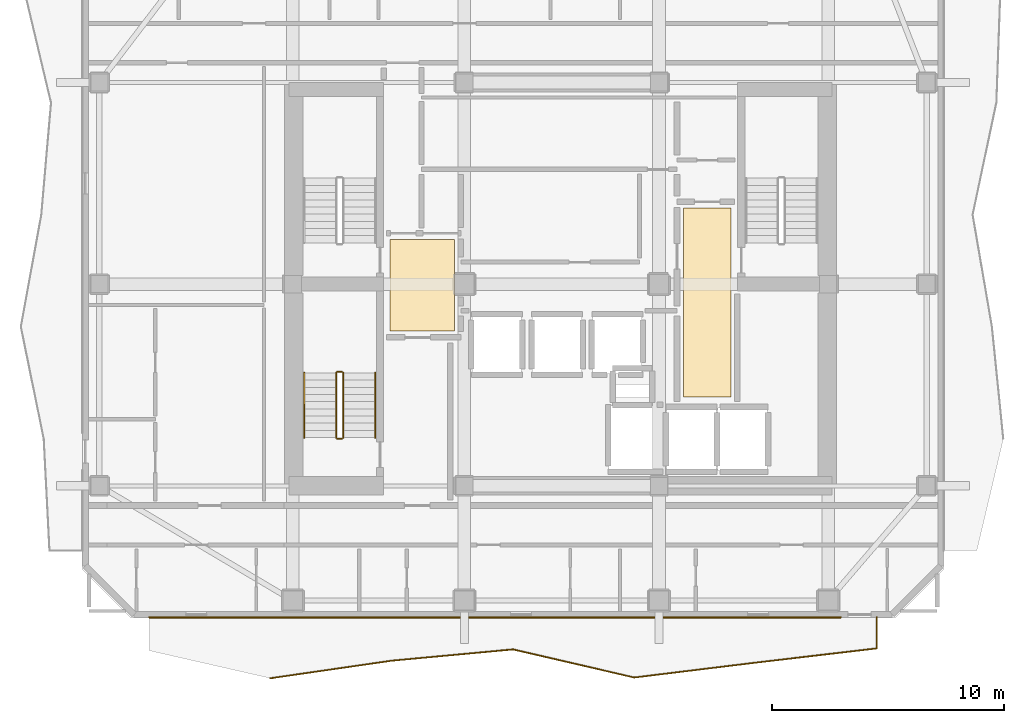
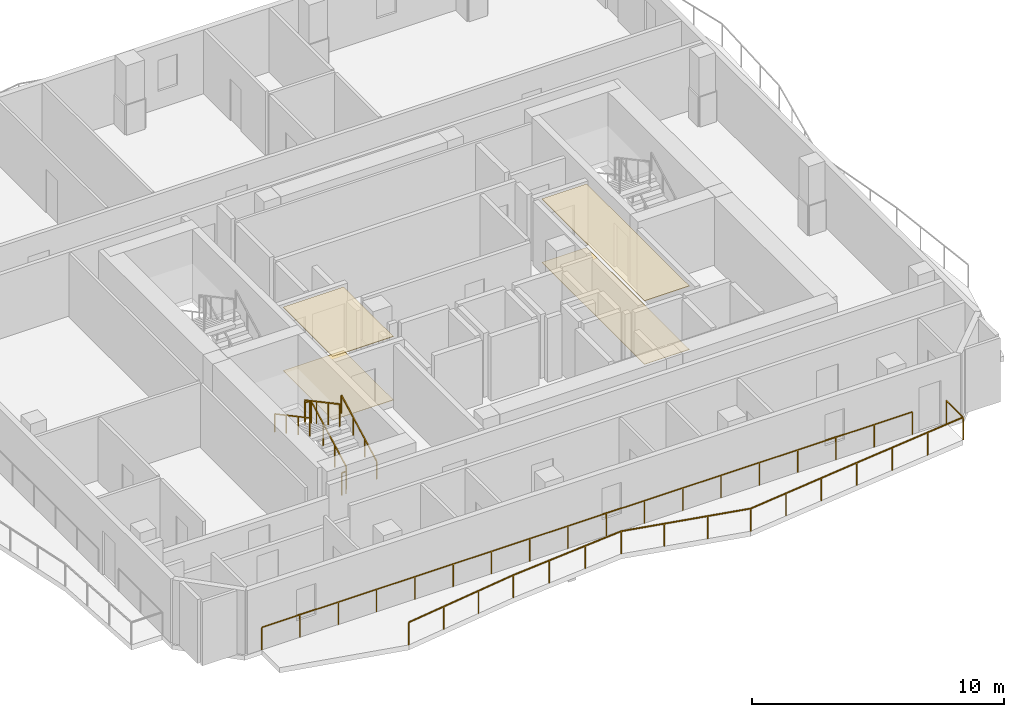
# One storey, part 7 of 10: 8 railings, 4 coverings.
"""IFC4 building model written with IfcOpenShell, lengths in metres."""

from ifc_helpers import new_model, si_unit, direction, frame, origin, origin_2d, place, context, subcontext, project, spatial, polyline, rectangle, outline, extrude, material, layer, layer_set, type_object, element, save


model = new_model("IFC4")

# Units and contexts
model_context = context("Model", 3, precision=1e-05, world=origin(), true_north=direction((0.0, 1.0)))
body_context = subcontext(model_context, "Body", "Model", "MODEL_VIEW")
ifc_project = project(units=[si_unit("LENGTHUNIT", "METRE"), si_unit("AREAUNIT", "SQUARE_METRE"), si_unit("VOLUMEUNIT", "CUBIC_METRE"), si_unit("PLANEANGLEUNIT", "RADIAN"), si_unit("MASSUNIT", "GRAM", prefix="KILO")], contexts=[model_context])

# Site, building, storey
site_placement = place(None, origin())
site = spatial("IfcSite", under=ifc_project, at=site_placement, CompositionType="ELEMENT")
building_placement = place(site_placement, origin())
building = spatial("IfcBuilding", under=site, at=building_placement, Name="Solanera Arch Residences", CompositionType="ELEMENT")
storey_placement = place(building_placement, frame((0.0, 0.0, 262.239990234375)))
storey = spatial("IfcBuildingStorey", under=building, at=storey_placement, Name="L76", CompositionType="ELEMENT", Elevation=262.239990234375)

# Railings
ifc_material_1 = material(Name="Steel S355 (ASTM A992 / A572 Grade 50)", Category="steel")
railing_type_1 = type_object("IfcRailingType", Name="Balustrade Railing BL-1100", PredefinedType="BALUSTRADE", material=ifc_material_1)
railing_1_placement = place(storey_placement, frame((12.43310546875, 13.694091796875, 0.0)))
element("IfcRailing", 1, at=railing_1_placement, inside=storey, type_object=railing_type_1, Name="L76 S Balcony Balustrade 1", PredefinedType="BALUSTRADE", context=body_context, shape_type="SweptSolid", body=[
    extrude(rectangle(XDim=0.048095703125, YDim=0.048095703125, at=origin_2d()), frame((0.0, 0.0, 1.09619140625), z_axis=(0.989653760241, 0.143476251835, 0.0), x_axis=(-0.143476251835, 0.989653760241, 0.0)), (0.0, 0.0, 1.0), 5.28857421875),
    extrude(rectangle(XDim=0.048095703125, YDim=0.048095703125, at=origin_2d()), frame((5.23388671875, 0.7587890625, 1.09619140625), z_axis=(0.995696332574, 0.09267585068, 0.0), x_axis=(-0.09267585068, 0.995696332574, 0.0)), (0.0, 0.0, 1.0), 5.255615234375),
    extrude(rectangle(XDim=0.048095703125, YDim=0.048095703125, at=origin_2d()), frame((10.466796875, 1.245849609375, 1.09619140625), z_axis=(0.974177048078, -0.225785471185, 0.0), x_axis=(0.225785471185, 0.974177048078, 0.0)), (0.0, 0.0, 1.0), 5.371826171875),
    extrude(rectangle(XDim=0.048095703125, YDim=0.048095703125, at=origin_2d()), frame((15.699951171875, 0.032958984375, 1.09619140625), z_axis=(0.992564372193, 0.121720857099, 0.0), x_axis=(-0.121720857099, 0.992564372193, 0.0)), (0.0, 0.0, 1.0), 5.273193359375),
    extrude(rectangle(XDim=0.048095703125, YDim=0.048095703125, at=origin_2d()), frame((20.933837890625, 0.6748046875, 1.09619140625), z_axis=(0.993165461061, 0.11671489603, 0.0), x_axis=(-0.11671489603, 0.993165461061, 0.0)), (0.0, 0.0, 1.0), 5.269287109375),
    extrude(rectangle(XDim=0.048095703125, YDim=0.048095703125, at=origin_2d()), frame((26.1669921875, 1.289794921875, 1.09619140625), z_axis=(0.0, 1.0, 0.0), x_axis=(-1.0, 0.0, 0.0)), (0.0, 0.0, 1.0), 1.336181640625),
    extrude(rectangle(XDim=0.0419921875, YDim=0.0419921875, at=origin_2d()), origin(), (0.0, 0.0, 1.0), 1.072021484375),
    extrude(rectangle(XDim=0.0419921875, YDim=0.0419921875, at=origin_2d()), frame((1.74462890625, 0.2529296875, 0.0)), (0.0, 0.0, 1.0), 1.072021484375),
    extrude(rectangle(XDim=0.0419921875, YDim=0.0419921875, at=origin_2d()), frame((3.4892578125, 0.505859375, 0.0)), (0.0, 0.0, 1.0), 1.072021484375),
    extrude(rectangle(XDim=0.0419921875, YDim=0.0419921875, at=origin_2d()), frame((5.23388671875, 0.7587890625, 0.0)), (0.0, 0.0, 1.0), 1.072021484375),
    extrude(rectangle(XDim=0.0419921875, YDim=0.0419921875, at=origin_2d()), frame((6.978271484375, 0.921142578125, 0.0)), (0.0, 0.0, 1.0), 1.072021484375),
    extrude(rectangle(XDim=0.0419921875, YDim=0.0419921875, at=origin_2d()), frame((8.722412109375, 1.08349609375, 0.0)), (0.0, 0.0, 1.0), 1.072021484375),
    extrude(rectangle(XDim=0.0419921875, YDim=0.0419921875, at=origin_2d()), frame((10.466796875, 1.245849609375, 0.0)), (0.0, 0.0, 1.0), 1.072021484375),
    extrude(rectangle(XDim=0.0419921875, YDim=0.0419921875, at=origin_2d()), frame((12.211181640625, 0.841552734375, 0.0)), (0.0, 0.0, 1.0), 1.072021484375),
    extrude(rectangle(XDim=0.0419921875, YDim=0.0419921875, at=origin_2d()), frame((13.95556640625, 0.437255859375, 0.0)), (0.0, 0.0, 1.0), 1.072021484375),
    extrude(rectangle(XDim=0.0419921875, YDim=0.0419921875, at=origin_2d()), frame((15.699951171875, 0.032958984375, 0.0)), (0.0, 0.0, 1.0), 1.072021484375),
    extrude(rectangle(XDim=0.0419921875, YDim=0.0419921875, at=origin_2d()), frame((17.444580078125, 0.246826171875, 0.0)), (0.0, 0.0, 1.0), 1.072021484375),
    extrude(rectangle(XDim=0.0419921875, YDim=0.0419921875, at=origin_2d()), frame((19.189208984375, 0.4609375, 0.0)), (0.0, 0.0, 1.0), 1.072021484375),
    extrude(rectangle(XDim=0.0419921875, YDim=0.0419921875, at=origin_2d()), frame((20.933837890625, 0.6748046875, 0.0)), (0.0, 0.0, 1.0), 1.072021484375),
    extrude(rectangle(XDim=0.0419921875, YDim=0.0419921875, at=origin_2d()), frame((22.67822265625, 0.8798828125, 0.0)), (0.0, 0.0, 1.0), 1.072021484375),
    extrude(rectangle(XDim=0.0419921875, YDim=0.0419921875, at=origin_2d()), frame((24.422607421875, 1.084716796875, 0.0)), (0.0, 0.0, 1.0), 1.072021484375),
    extrude(rectangle(XDim=0.0419921875, YDim=0.0419921875, at=origin_2d()), frame((26.1669921875, 1.289794921875, 0.0)), (0.0, 0.0, 1.0), 1.072021484375),
    extrude(rectangle(XDim=0.0419921875, YDim=0.0419921875, at=origin_2d()), frame((26.1669921875, 2.6259765625, 0.0)), (0.0, 0.0, 1.0), 1.072021484375),
])
railing_2_placement = place(storey_placement, frame((37.048095703125, 16.320068359375, 0.0)))
element("IfcRailing", 2, at=railing_2_placement, inside=storey, type_object=railing_type_1, Name="L76 S Balcony Balustrade 2", PredefinedType="BALUSTRADE", context=body_context, shape_type="SweptSolid", body=[
    extrude(rectangle(XDim=0.048095703125, YDim=0.048095703125, at=origin_2d()), frame((0.0, 0.0, 1.09619140625), z_axis=(-1.0, 0.0, 0.0), x_axis=(0.0, -1.0, 0.0)), (0.0, 0.0, 1.0), 29.84814453125),
    extrude(rectangle(XDim=0.0419921875, YDim=0.0419921875, at=origin_2d()), origin(), (0.0, 0.0, 1.0), 1.072021484375),
    extrude(rectangle(XDim=0.0419921875, YDim=0.0419921875, at=origin_2d()), frame((-1.755859375, 0.0, 0.0)), (0.0, 0.0, 1.0), 1.072021484375),
    extrude(rectangle(XDim=0.0419921875, YDim=0.0419921875, at=origin_2d()), frame((-3.511474609375, 0.0, 0.0)), (0.0, 0.0, 1.0), 1.072021484375),
    extrude(rectangle(XDim=0.0419921875, YDim=0.0419921875, at=origin_2d()), frame((-5.267333984375, 0.0, 0.0)), (0.0, 0.0, 1.0), 1.072021484375),
    extrude(rectangle(XDim=0.0419921875, YDim=0.0419921875, at=origin_2d()), frame((-7.023193359375, 0.0, 0.0)), (0.0, 0.0, 1.0), 1.072021484375),
    extrude(rectangle(XDim=0.0419921875, YDim=0.0419921875, at=origin_2d()), frame((-8.77880859375, 0.0, 0.0)), (0.0, 0.0, 1.0), 1.072021484375),
    extrude(rectangle(XDim=0.0419921875, YDim=0.0419921875, at=origin_2d()), frame((-10.53466796875, 0.0, 0.0)), (0.0, 0.0, 1.0), 1.072021484375),
    extrude(rectangle(XDim=0.0419921875, YDim=0.0419921875, at=origin_2d()), frame((-12.29052734375, 0.0, 0.0)), (0.0, 0.0, 1.0), 1.072021484375),
    extrude(rectangle(XDim=0.0419921875, YDim=0.0419921875, at=origin_2d()), frame((-14.046142578125, 0.0, 0.0)), (0.0, 0.0, 1.0), 1.072021484375),
    extrude(rectangle(XDim=0.0419921875, YDim=0.0419921875, at=origin_2d()), frame((-15.802001953125, 0.0, 0.0)), (0.0, 0.0, 1.0), 1.072021484375),
    extrude(rectangle(XDim=0.0419921875, YDim=0.0419921875, at=origin_2d()), frame((-17.5576171875, 0.0, 0.0)), (0.0, 0.0, 1.0), 1.072021484375),
    extrude(rectangle(XDim=0.0419921875, YDim=0.0419921875, at=origin_2d()), frame((-19.3134765625, 0.0, 0.0)), (0.0, 0.0, 1.0), 1.072021484375),
    extrude(rectangle(XDim=0.0419921875, YDim=0.0419921875, at=origin_2d()), frame((-21.0693359375, 0.0, 0.0)), (0.0, 0.0, 1.0), 1.072021484375),
    extrude(rectangle(XDim=0.0419921875, YDim=0.0419921875, at=origin_2d()), frame((-22.824951171875, 0.0, 0.0)), (0.0, 0.0, 1.0), 1.072021484375),
    extrude(rectangle(XDim=0.0419921875, YDim=0.0419921875, at=origin_2d()), frame((-24.580810546875, 0.0, 0.0)), (0.0, 0.0, 1.0), 1.072021484375),
    extrude(rectangle(XDim=0.0419921875, YDim=0.0419921875, at=origin_2d()), frame((-26.336669921875, 0.0, 0.0)), (0.0, 0.0, 1.0), 1.072021484375),
    extrude(rectangle(XDim=0.0419921875, YDim=0.0419921875, at=origin_2d()), frame((-28.09228515625, 0.0, 0.0)), (0.0, 0.0, 1.0), 1.072021484375),
    extrude(rectangle(XDim=0.0419921875, YDim=0.0419921875, at=origin_2d()), frame((-29.84814453125, 0.0, 0.0)), (0.0, 0.0, 1.0), 1.072021484375),
])

# Coverings
ifc_material_2 = material(Name="Porcelain Acoustic Floor Tile", Category="ceramic")
ifc_layer_1 = layer(ifc_material_2, 0.02001953125)
ifc_layer_set_1 = layer_set([ifc_layer_1], Name="Porcelain Acoustic Floor Tile")
covering_type_1 = type_object("IfcCoveringType", Name="Porcelain Acoustic Floor Finish FLR-20", PredefinedType="FLOORING", material=ifc_layer_set_1)
covering_1_placement = place(storey_placement, origin())
element("IfcCovering", 3, at=covering_1_placement, inside=storey, type_object=covering_type_1, Name="L76-FFL-W Porcelain Floor Finish", PredefinedType="FLOORING", context=body_context, shape_type="SweptSolid", body=[
    extrude(outline(polyline([(20.375, 28.675048828125), (17.594970703125, 28.675048828125), (17.594970703125, 32.625), (20.375, 32.625), (20.375, 28.675048828125)])), origin(), (0.0, 0.0, 1.0), 0.02001953125),
])
covering_2_placement = place(storey_placement, origin())
element("IfcCovering", 4, at=covering_2_placement, inside=storey, type_object=covering_type_1, Name="L76-FFL-E Porcelain Floor Finish", PredefinedType="FLOORING", context=body_context, shape_type="SweptSolid", body=[
    extrude(outline(polyline([(32.304931640625, 25.824951171875), (30.25, 25.824951171875), (30.25, 33.97509765625), (32.304931640625, 33.97509765625), (32.304931640625, 25.824951171875)])), origin(), (0.0, 0.0, 1.0), 0.02001953125),
])

# Railings
ifc_material_3 = material(Name="Steel S355 (ASTM A992 / A572 Grade 50)", Category="steel")
railing_type_2 = type_object("IfcRailingType", Name="Stair Guardrail GR-1100", PredefinedType="GUARDRAIL", material=ifc_material_3)
railing_3_placement = place(storey_placement, frame((15.570068359375, 24.080078125, 0.151123046875)))
element("IfcRailing", 5, at=railing_3_placement, inside=storey, type_object=railing_type_2, Name="L76 ST-T3 stair guard 1", PredefinedType="GUARDRAIL", context=body_context, shape_type="SweptSolid", body=[
    extrude(rectangle(XDim=0.048095703125, YDim=0.048095703125, at=origin_2d()), frame((0.0, 0.0, 1.076171875), z_axis=(0.0, 0.881580869306, 0.472033018838), x_axis=(-1.0, 0.0, 0.0)), (0.0, 0.0, 1.0), 3.164794921875),
    extrude(rectangle(XDim=0.0419921875, YDim=0.0419921875, at=origin_2d()), origin(), (0.0, 0.0, 1.0), 1.052001953125),
    extrude(rectangle(XDim=0.0419921875, YDim=0.0419921875, at=origin_2d()), frame((0.0, 0.929931640625, 0.498046875)), (0.0, 0.0, 1.0), 1.052001953125),
    extrude(rectangle(XDim=0.0419921875, YDim=0.0419921875, at=origin_2d()), frame((0.0, 1.860107421875, 0.995849609375)), (0.0, 0.0, 1.0), 1.052001953125),
    extrude(rectangle(XDim=0.0419921875, YDim=0.0419921875, at=origin_2d()), frame((0.0, 2.7900390625, 1.493896484375)), (0.0, 0.0, 1.0), 1.052001953125),
])
railing_4_placement = place(storey_placement, frame((15.52001953125, 26.919921875, 1.64501953125)))
element("IfcRailing", 6, at=railing_4_placement, inside=storey, type_object=railing_type_2, Name="L76 ST-T3 stair guard 2", PredefinedType="GUARDRAIL", context=body_context, shape_type="SweptSolid", body=[
    extrude(rectangle(XDim=0.048095703125, YDim=0.048095703125, at=origin_2d()), frame((0.0, 0.0, 1.076171875), z_axis=(-1.0, 0.0, 0.0), x_axis=(0.0, -1.0, 0.0)), (0.0, 0.0, 1.0), 0.199951171875),
    extrude(rectangle(XDim=0.0419921875, YDim=0.0419921875, at=origin_2d()), origin(), (0.0, 0.0, 1.0), 1.052001953125),
    extrude(rectangle(XDim=0.0419921875, YDim=0.0419921875, at=origin_2d()), frame((-0.199951171875, 0.0, 0.0)), (0.0, 0.0, 1.0), 1.052001953125),
])
railing_5_placement = place(storey_placement, frame((15.27001953125, 26.8701171875, 1.81103515625)))
element("IfcRailing", 7, at=railing_5_placement, inside=storey, type_object=railing_type_2, Name="L76 ST-T3 stair guard 3", PredefinedType="GUARDRAIL", context=body_context, shape_type="SweptSolid", body=[
    extrude(rectangle(XDim=0.048095703125, YDim=0.048095703125, at=origin_2d()), frame((0.0, 0.0, 1.076171875), z_axis=(0.0, -0.881580869306, 0.472033018838), x_axis=(1.0, 0.0, 0.0)), (0.0, 0.0, 1.0), 3.164794921875),
    extrude(rectangle(XDim=0.0419921875, YDim=0.0419921875, at=origin_2d()), origin(), (0.0, 0.0, 1.0), 1.052001953125),
    extrude(rectangle(XDim=0.0419921875, YDim=0.0419921875, at=origin_2d()), frame((0.0, -0.929931640625, 0.498046875)), (0.0, 0.0, 1.0), 1.052001953125),
    extrude(rectangle(XDim=0.0419921875, YDim=0.0419921875, at=origin_2d()), frame((0.0, -1.860107421875, 0.995849609375)), (0.0, 0.0, 1.0), 1.052001953125),
    extrude(rectangle(XDim=0.0419921875, YDim=0.0419921875, at=origin_2d()), frame((0.0, -2.7900390625, 1.493896484375)), (0.0, 0.0, 1.0), 1.052001953125),
])
railing_6_placement = place(storey_placement, frame((15.52001953125, 24.030029296875, -0.014892578125)))
element("IfcRailing", 8, at=railing_6_placement, inside=storey, type_object=railing_type_2, Name="L76 ST-T3 stair guard 4", PredefinedType="GUARDRAIL", context=body_context, shape_type="SweptSolid", body=[
    extrude(rectangle(XDim=0.048095703125, YDim=0.048095703125, at=origin_2d()), frame((0.0, 0.0, 1.076171875), z_axis=(-1.0, 0.0, 0.0), x_axis=(0.0, -1.0, 0.0)), (0.0, 0.0, 1.0), 0.199951171875),
    extrude(rectangle(XDim=0.0419921875, YDim=0.0419921875, at=origin_2d()), origin(), (0.0, 0.0, 1.0), 1.052001953125),
    extrude(rectangle(XDim=0.0419921875, YDim=0.0419921875, at=origin_2d()), frame((-0.199951171875, 0.0, 0.0)), (0.0, 0.0, 1.0), 1.052001953125),
])
ifc_material_4 = material(Name="Steel S355 (ASTM A992 / A572 Grade 50)", Category="steel")
railing_type_3 = type_object("IfcRailingType", Name="Stair Wall Handrail HR-920", PredefinedType="HANDRAIL", material=ifc_material_4)
railing_7_placement = place(storey_placement, frame((16.949951171875, 24.080078125, 0.166015625)))
element("IfcRailing", 9, at=railing_7_placement, inside=storey, type_object=railing_type_3, Name="L76 ST-T3 stair handrail 1", PredefinedType="HANDRAIL", context=body_context, shape_type="SweptSolid", body=[
    extrude(rectangle(XDim=0.048095703125, YDim=0.048095703125, at=origin_2d()), frame((0.0, 0.0, 0.8759765625), z_axis=(0.0, 0.881580869306, 0.472033018838), x_axis=(-1.0, 0.0, 0.0)), (0.0, 0.0, 1.0), 3.164794921875),
    extrude(rectangle(XDim=0.0419921875, YDim=0.0419921875, at=origin_2d()), origin(), (0.0, 0.0, 1.0), 0.851806640625),
    extrude(rectangle(XDim=0.0419921875, YDim=0.0419921875, at=origin_2d()), frame((0.0, 0.929931640625, 0.498046875)), (0.0, 0.0, 1.0), 0.851806640625),
    extrude(rectangle(XDim=0.0419921875, YDim=0.0419921875, at=origin_2d()), frame((0.0, 1.860107421875, 0.995849609375)), (0.0, 0.0, 1.0), 0.851806640625),
    extrude(rectangle(XDim=0.0419921875, YDim=0.0419921875, at=origin_2d()), frame((0.0, 2.7900390625, 1.493896484375)), (0.0, 0.0, 1.0), 0.851806640625),
])
railing_8_placement = place(storey_placement, frame((13.889892578125, 26.8701171875, 1.825927734375)))
element("IfcRailing", 10, at=railing_8_placement, inside=storey, type_object=railing_type_3, Name="L76 ST-T3 stair handrail 2", PredefinedType="HANDRAIL", context=body_context, shape_type="SweptSolid", body=[
    extrude(rectangle(XDim=0.048095703125, YDim=0.048095703125, at=origin_2d()), frame((0.0, 0.0, 0.8759765625), z_axis=(0.0, -0.881548766853, 0.472092969298), x_axis=(1.0, 0.0, 0.0)), (0.0, 0.0, 1.0), 3.1650390625),
    extrude(rectangle(XDim=0.0419921875, YDim=0.0419921875, at=origin_2d()), origin(), (0.0, 0.0, 1.0), 0.851806640625),
    extrude(rectangle(XDim=0.0419921875, YDim=0.0419921875, at=origin_2d()), frame((0.0, -0.929931640625, 0.498046875)), (0.0, 0.0, 1.0), 0.851806640625),
    extrude(rectangle(XDim=0.0419921875, YDim=0.0419921875, at=origin_2d()), frame((0.0, -1.860107421875, 0.99609375)), (0.0, 0.0, 1.0), 0.851806640625),
    extrude(rectangle(XDim=0.0419921875, YDim=0.0419921875, at=origin_2d()), frame((0.0, -2.7900390625, 1.494140625)), (0.0, 0.0, 1.0), 0.851806640625),
])

# Coverings
ifc_material_5 = material(Name="Mineral Fibre Acoustic Ceiling Board", Category="gypsum")
ifc_layer_2 = layer(ifc_material_5, 0.02490234375)
ifc_layer_set_2 = layer_set([ifc_layer_2], Name="Mineral Fibre Acoustic Ceiling Board")
covering_type_2 = type_object("IfcCoveringType", Name="Suspended Acoustic Ceiling Board CLG-25", PredefinedType="CEILING", material=ifc_layer_set_2)
covering_3_placement = place(storey_placement, frame((0.0, 0.0, 3.074951171875)))
element("IfcCovering", 11, at=covering_3_placement, inside=storey, type_object=covering_type_2, Name="L76-FFL-W Acoustic Ceiling", PredefinedType="CEILING", context=body_context, shape_type="SweptSolid", body=[
    extrude(outline(polyline([(20.375, 28.675048828125), (17.594970703125, 28.675048828125), (17.594970703125, 32.625), (20.375, 32.625), (20.375, 28.675048828125)])), origin(), (0.0, 0.0, 1.0), 0.025146484375),
])
covering_4_placement = place(storey_placement, frame((0.0, 0.0, 3.074951171875)))
element("IfcCovering", 12, at=covering_4_placement, inside=storey, type_object=covering_type_2, Name="L76-FFL-E Acoustic Ceiling", PredefinedType="CEILING", context=body_context, shape_type="SweptSolid", body=[
    extrude(outline(polyline([(32.304931640625, 25.824951171875), (30.25, 25.824951171875), (30.25, 33.97509765625), (32.304931640625, 33.97509765625), (32.304931640625, 25.824951171875)])), origin(), (0.0, 0.0, 1.0), 0.025146484375),
])

save(model, "model.ifc")
